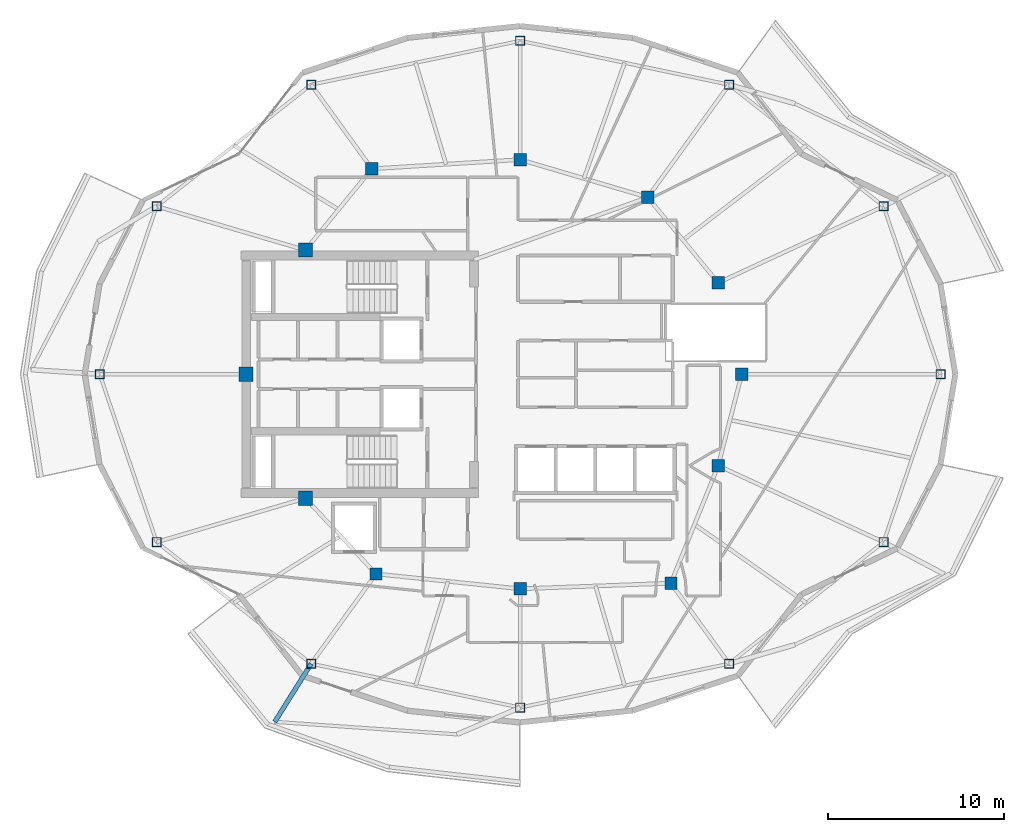
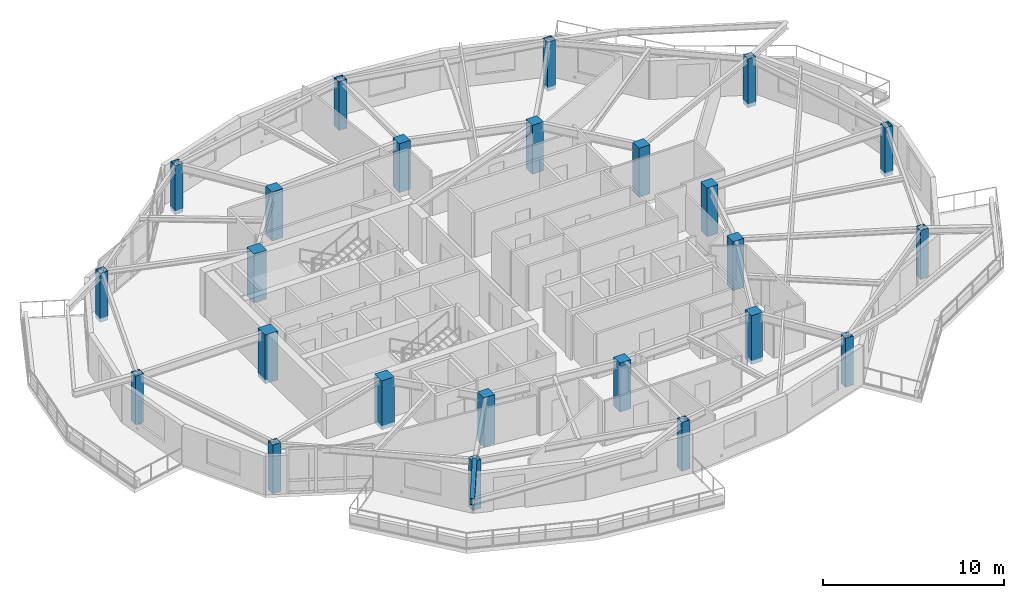
# One storey, part 1 of 14: 24 columns, 1 beam.
"""IFC4 building model written with IfcOpenShell, lengths in metres."""

from ifc_helpers import new_model, si_unit, direction, frame, origin, origin_2d, place, context, subcontext, project, spatial, rectangle, hollow_rectangle, i_section, extrude, material, material_profile, profile_set, type_object, element, save


model = new_model("IFC4")

# Units and contexts
model_context = context("Model", 3, precision=1e-05, world=origin(), true_north=direction((0.0, 1.0)))
body_context = subcontext(model_context, "Body", "Model", "MODEL_VIEW")
ifc_project = project(units=[si_unit("LENGTHUNIT", "METRE"), si_unit("AREAUNIT", "SQUARE_METRE"), si_unit("VOLUMEUNIT", "CUBIC_METRE"), si_unit("PLANEANGLEUNIT", "RADIAN"), si_unit("MASSUNIT", "GRAM", prefix="KILO")], contexts=[model_context])

# Site, building, storey
site_placement = place(None, origin())
site = spatial("IfcSite", under=ifc_project, at=site_placement, CompositionType="ELEMENT")
building_placement = place(site_placement, origin())
building = spatial("IfcBuilding", under=site, at=building_placement, Name="Kolvaren Gate Tower and Convention Centre", CompositionType="ELEMENT")
storey_placement = place(building_placement, frame((0.0, 0.0, 206.300048828125)))
storey = spatial("IfcBuildingStorey", under=building, at=storey_placement, Name="L54", CompositionType="ELEMENT", Elevation=206.300048828125)

# Columns
ifc_material_1 = material(Name="Structural steel ASTM A500 Grade C 345 MPa", Category="steel")
ifc_material_profile_1 = material_profile(ifc_material_1, hollow_rectangle(XDim=0.508056640625, YDim=0.508056640625, WallThickness=0.01904296875, at=origin_2d()), Name="HSS508X508X19.1")
ifc_profile_set_1 = profile_set([ifc_material_profile_1], Name="Structural steel ASTM A500 Grade C 345 MPa")
column_type_1 = type_object("IfcColumnType", Name="STR-COL-HSS508", PredefinedType="COLUMN", material=ifc_profile_set_1)
for number, where, z_axis, x_axis, name in (
    (1, (54.02490234375, 27.0, -0.27001953125), (0.0, 0.0, 1.0), (1.0, 0.0, 0.0), "Tower L54 Perimeter Supercolumn TP-01"),
    (2, (50.787353515625, 36.543701171875, -0.27001953125), (0.0, 0.0, 1.0), (1.0, 0.0, 0.0), "Tower L54 Perimeter Supercolumn TP-02"),
    (3, (42.002685546875, 43.4580078125, -0.27001953125), (0.0, 0.0, 1.0), (1.0, 0.0, 0.0), "Tower L54 Perimeter Supercolumn TP-03"),
    (4, (30.125, 45.949951171875, -0.27001953125), (0.0, 0.0, 1.0), (1.0, 0.0, 0.0), "Tower L54 Perimeter Supercolumn TP-04"),
    (5, (18.247314453125, 43.4580078125, -0.27001953125), (0.0, 0.0, 1.0), (1.0, 0.0, 0.0), "Tower L54 Perimeter Supercolumn TP-05"),
    (6, (9.462646484375, 36.543701171875, -0.27001953125), (0.0, 0.0, 1.0), (1.0, 0.0, 0.0), "Tower L54 Perimeter Supercolumn TP-06"),
    (7, (6.22509765625, 27.0, -0.27001953125), (0.0, 0.0, 1.0), (1.0, 0.0, 0.0), "Tower L54 Perimeter Supercolumn TP-07"),
    (8, (9.462646484375, 17.456298828125, -0.27001953125), (0.0, 0.0, 1.0), (1.0, 0.0, 0.0), "Tower L54 Perimeter Supercolumn TP-08"),
    (9, (18.247314453125, 10.5419921875, -0.27001953125), (0.0, 0.0, 1.0), (1.0, 0.0, 0.0), "Tower L54 Perimeter Supercolumn TP-09"),
    (10, (30.125, 8.050048828125, -0.27001953125), (0.0, 0.0, 1.0), (1.0, 0.0, 0.0), "Tower L54 Perimeter Supercolumn TP-10"),
    (11, (42.002685546875, 10.5419921875, -0.27001953125), (0.0, 0.0, 1.0), (1.0, 0.0, 0.0), "Tower L54 Perimeter Supercolumn TP-11"),
    (12, (50.787353515625, 17.456298828125, -0.27001953125), (0.0, 0.0, 1.0), (1.0, 0.0, 0.0), "Tower L54 Perimeter Supercolumn TP-12"),
):
    element("IfcColumn", number, at=place(storey_placement, frame(where, z_axis=z_axis, x_axis=x_axis)), inside=storey, type_object=column_type_1, Name=name, PredefinedType="COLUMN", context=body_context, shape_type="SweptSolid", body=[
        extrude(hollow_rectangle(XDim=0.508056640625, YDim=0.508056640625, WallThickness=0.01904296875, at=origin_2d()), origin(), (0.0, 0.0, 1.0), 3.300048828125),
    ])
ifc_material_2 = material(Name="Concrete C50/60", Category="concrete")
ifc_material_profile_2 = material_profile(ifc_material_2, rectangle(XDim=0.699951171875, YDim=0.699951171875, at=origin_2d()), Name="RC-COL-700X700")
ifc_profile_set_2 = profile_set([ifc_material_profile_2], Name="Concrete C50/60")
column_type_2 = type_object("IfcColumnType", Name="STR-COL-RC700", PredefinedType="COLUMN", material=ifc_profile_set_2)
for number, where, z_axis, x_axis, name in (
    (13, (42.72509765625, 27.0, -0.27001953125), (0.0, 0.0, 1.0), (1.0, 0.0, 0.0), "Tower L54 Interior Column TI-01"),
    (14, (41.382080078125, 32.199462890625, -0.27001953125), (0.0, 0.0, 1.0), (1.0, 0.0, 0.0), "Tower L54 Interior Column TI-02"),
    (15, (37.381591796875, 37.054931640625, -0.27001953125), (0.0, 0.0, 1.0), (1.0, 0.0, 0.0), "Tower L54 Interior Column TI-03"),
    (16, (30.125, 39.199951171875, -0.27001953125), (0.0, 0.0, 1.0), (1.0, 0.0, 0.0), "Tower L54 Interior Column TI-04"),
    (17, (21.697998046875, 38.6767578125, -0.27001953125), (0.0, 0.0, 1.0), (1.0, 0.0, 0.0), "Tower L54 Interior Column TI-05"),
    (18, (21.93212890625, 15.647705078125, -0.27001953125), (0.0, 0.0, 1.0), (1.0, 0.0, 0.0), "Tower L54 Interior Column TI-06"),
    (19, (30.125, 14.800048828125, -0.27001953125), (0.0, 0.0, 1.0), (1.0, 0.0, 0.0), "Tower L54 Interior Column TI-07"),
    (20, (38.6982421875, 15.12060546875, -0.27001953125), (0.0, 0.0, 1.0), (1.0, 0.0, 0.0), "Tower L54 Interior Column TI-08"),
    (21, (41.382080078125, 21.800537109375, -0.27001953125), (0.0, 0.0, 1.0), (1.0, 0.0, 0.0), "Tower L54 Interior Column TI-09"),
):
    element("IfcColumn", number, at=place(storey_placement, frame(where, z_axis=z_axis, x_axis=x_axis)), inside=storey, type_object=column_type_2, Name=name, PredefinedType="COLUMN", context=body_context, shape_type="SweptSolid", body=[
        extrude(rectangle(XDim=0.699951171875, YDim=0.699951171875, at=origin_2d()), origin(), (0.0, 0.0, 1.0), 3.300048828125),
    ])
ifc_material_3 = material(Name="Concrete C60/75", Category="concrete")
ifc_material_profile_3 = material_profile(ifc_material_3, rectangle(XDim=0.800048828125, YDim=0.800048828125, at=origin_2d()), Name="RC-COL-800X800")
ifc_profile_set_3 = profile_set([ifc_material_profile_3], Name="Concrete C60/75")
column_type_3 = type_object("IfcColumnType", Name="STR-PIL-RC800", PredefinedType="PILASTER", material=ifc_profile_set_3)
for number, where, z_axis, x_axis, name in (
    (22, (17.9140625, 34.050048828125, -0.27001953125), (0.0, 0.0, 1.0), (1.0, 0.0, 0.0), "Tower L54 Core Boundary Pilaster TC-05"),
    (23, (14.550048828125, 27.0, -0.27001953125), (0.0, 0.0, 1.0), (1.0, 0.0, 0.0), "Tower L54 Core Boundary Pilaster TC-06"),
    (24, (17.9140625, 19.949951171875, -0.27001953125), (0.0, 0.0, 1.0), (1.0, 0.0, 0.0), "Tower L54 Core Boundary Pilaster TC-07"),
):
    element("IfcColumn", number, at=place(storey_placement, frame(where, z_axis=z_axis, x_axis=x_axis)), inside=storey, type_object=column_type_3, Name=name, PredefinedType="PILASTER", context=body_context, shape_type="SweptSolid", body=[
        extrude(rectangle(XDim=0.800048828125, YDim=0.800048828125, at=origin_2d()), origin(), (0.0, 0.0, 1.0), 3.300048828125),
    ])

# Beam
ifc_material_4 = material(Name="Structural steel ASTM A992 Grade 345 MPa", Category="steel")
ifc_material_profile_4 = material_profile(ifc_material_4, i_section(OverallWidth=0.260009765625, OverallDepth=0.419921875, WebThickness=0.013427734375, FlangeThickness=0.0224609375, at=origin_2d()), Name="W410X132")
ifc_profile_set_4 = profile_set([ifc_material_profile_4], Name="Structural steel ASTM A992 Grade 345 MPa")
beam_type = type_object("IfcBeamType", Name="STR-BM-W410X132", PredefinedType="BEAM", material=ifc_profile_set_4)
beam_placement = place(storey_placement, frame((18.247314453125, 10.5419921875, 2.820556640625), z_axis=(-0.531225067521, -0.847230740494, 0.0), x_axis=(0.847230740494, -0.531225067521, 0.0)))
element("IfcBeam", 25, at=beam_placement, inside=storey, type_object=beam_type, Name="Tower L55 Planted Balcony Outrigger Cantilever BC-3A", PredefinedType="BEAM", context=body_context, shape_type="SweptSolid", body=[
    extrude(i_section(OverallWidth=0.260009765625, OverallDepth=0.419921875, WebThickness=0.013427734375, FlangeThickness=0.0224609375, at=origin_2d()), origin(), (0.0, 0.0, 1.0), 3.89990234375),
])

save(model, "model.ifc")
